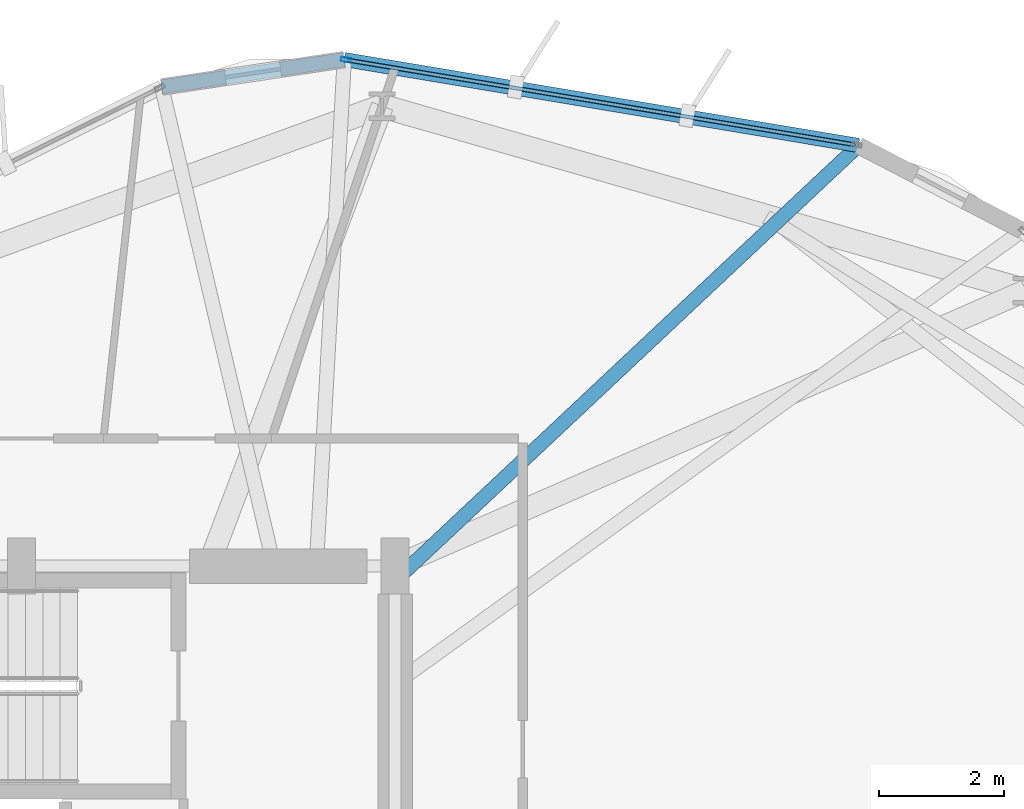
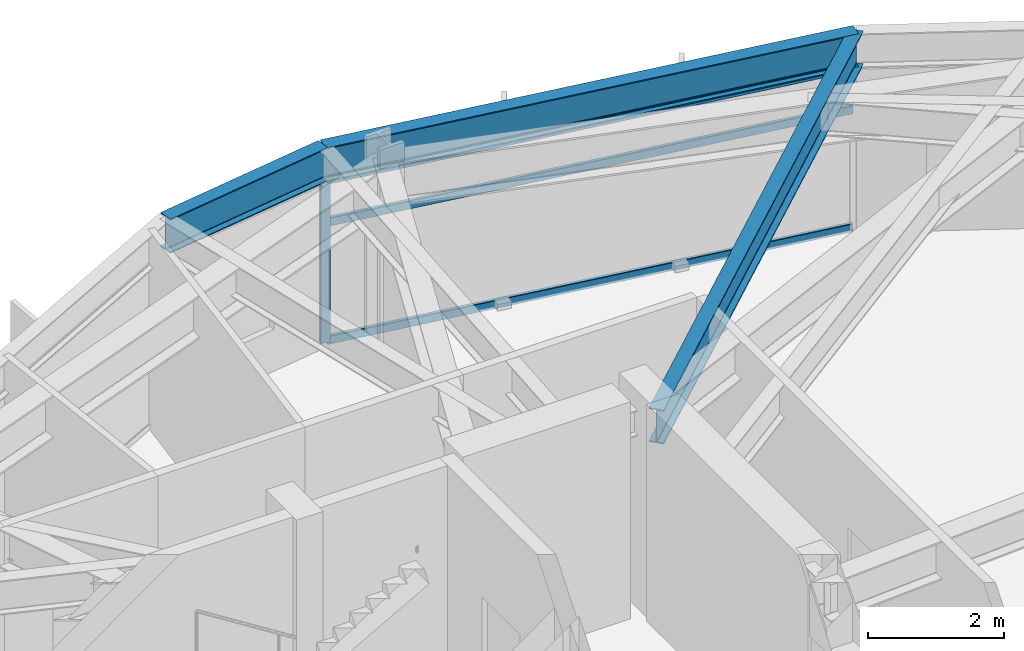
# One storey, part 13 of 22: 4 members, 3 beams, 1 element without a shape of its own.
"""IFC4 building model written with IfcOpenShell, lengths in metres."""

from ifc_helpers import new_model, si_unit, direction, frame, origin, origin_2d, place, context, subcontext, project, spatial, hollow_rectangle, i_section, extrude, material, layer, layer_set, material_profile, profile_set, type_object, element, aggregate, save


model = new_model("IFC4")

# Units and contexts
model_context = context("Model", 3, precision=1e-05, world=origin(), true_north=direction((0.0, 1.0)))
body_context = subcontext(model_context, "Body", "Model", "MODEL_VIEW")
ifc_project = project(units=[si_unit("LENGTHUNIT", "METRE"), si_unit("AREAUNIT", "SQUARE_METRE"), si_unit("VOLUMEUNIT", "CUBIC_METRE"), si_unit("PLANEANGLEUNIT", "RADIAN"), si_unit("MASSUNIT", "GRAM", prefix="KILO")], contexts=[model_context])

# Site, building, storey
site_placement = place(None, origin())
site = spatial("IfcSite", under=ifc_project, at=site_placement, CompositionType="ELEMENT")
building_placement = place(site_placement, origin())
building = spatial("IfcBuilding", under=site, at=building_placement, Name="Soratama Intermodal Tower", CompositionType="ELEMENT")
storey_placement = place(building_placement, frame((0.0, 0.0, 130.300048828125)))
storey = spatial("IfcBuildingStorey", under=building, at=storey_placement, Name="L31", CompositionType="ELEMENT", Elevation=130.300048828125)

# Beams
ifc_material_1 = material(Name="Structural steel ASTM A992 Grade 50", Category="steel")
ifc_material_profile_1 = material_profile(ifc_material_1, i_section(OverallWidth=0.22900390625, OverallDepth=0.612060546875, WebThickness=0.011962890625, FlangeThickness=0.01953125, FilletRadius=0.012939453125, at=origin_2d()), Name="W24X84")
ifc_profile_set_1 = profile_set([ifc_material_profile_1], Name="Structural steel ASTM A992 Grade 50")
beam_type_1 = type_object("IfcBeamType", Name="BM-SPN-W24X84", PredefinedType="SPANDREL", material=ifc_profile_set_1)
beam_1_placement = place(storey_placement, frame((52.0439453125, 41.758056640625, 3.25390625), z_axis=(-0.98633477311, 0.164753498762, 0.0), x_axis=(-0.164753498762, -0.98633477311, 0.0)))
element("IfcBeam", 1, at=beam_1_placement, inside=storey, type_object=beam_type_1, Name="BS-L31-F02", PredefinedType="SPANDREL", context=body_context, shape_type="SweptSolid", body=[
    extrude(i_section(OverallWidth=0.22900390625, OverallDepth=0.612060546875, WebThickness=0.011962890625, FlangeThickness=0.01953125, FilletRadius=0.012939453125, at=origin_2d()), origin(), (0.0, 0.0, 1.0), 8.37548828125),
])
beam_2_placement = place(storey_placement, frame((43.782958984375, 43.137939453125, 3.25390625), z_axis=(-0.988942991843, -0.148296186344, 0.0), x_axis=(0.148296186344, -0.988942991843, 0.0)))
element("IfcBeam", 2, at=beam_2_placement, inside=storey, type_object=beam_type_1, Name="BS-L31-CRN02", PredefinedType="SPANDREL", context=body_context, shape_type="SweptSolid", body=[
    extrude(i_section(OverallWidth=0.22900390625, OverallDepth=0.612060546875, WebThickness=0.011962890625, FlangeThickness=0.01953125, FilletRadius=0.012939453125, at=origin_2d()), origin(), (0.0, 0.0, 1.0), 2.966552734375),
])
ifc_material_2 = material(Name="Structural steel ASTM A992 Grade 50", Category="steel")
ifc_material_profile_2 = material_profile(ifc_material_2, i_section(OverallWidth=0.22900390625, OverallDepth=0.612060546875, WebThickness=0.011962890625, FlangeThickness=0.01953125, FilletRadius=0.012939453125, at=origin_2d()), Name="W24X84")
ifc_profile_set_2 = profile_set([ifc_material_profile_2], Name="Structural steel ASTM A992 Grade 50")
beam_type_2 = type_object("IfcBeamType", Name="BM-TIE-W24X84", PredefinedType="BEAM", material=ifc_profile_set_2)
beam_3_placement = place(storey_placement, frame((44.62890625, 34.794921875, 3.25390625), z_axis=(0.728971099795, 0.684544473109, 0.0), x_axis=(-0.684544473109, 0.728971099795, 0.0)))
element("IfcBeam", 3, at=beam_3_placement, inside=storey, type_object=beam_type_2, Name="BM-L31-TIE0-02", PredefinedType="BEAM", context=body_context, shape_type="SweptSolid", body=[
    extrude(i_section(OverallWidth=0.22900390625, OverallDepth=0.612060546875, WebThickness=0.011962890625, FlangeThickness=0.01953125, FilletRadius=0.012939453125, at=origin_2d()), origin(), (0.0, 0.0, 1.0), 10.171875),
])

# Curtain wall, members
ifc_material_3 = material(Name="Double-glazed aluminium curtain wall", Category="aluminium")
ifc_layer = layer(ifc_material_3, 0.159912109375)
ifc_layer_set = layer_set([ifc_layer], Name="Double-glazed aluminium curtain wall")
curtain_wall_type = type_object("IfcCurtainWallType", Name="CW-SYS-3", PredefinedType="NOTDEFINED", material=ifc_layer_set)
curtain_wall_placement = place(storey_placement, origin())
curtain_wall = element("IfcCurtainWall", 4, at=curtain_wall_placement, inside=storey, type_object=curtain_wall_type, Name="L31 Faceted Curtain Wall F02", PredefinedType="NOTDEFINED")
ifc_material_4 = material(Name="Anodised aluminium AA 6063-T6", Category="aluminium")
ifc_material_profile_3 = material_profile(ifc_material_4, hollow_rectangle(XDim=0.070068359375, YDim=0.159912109375, WallThickness=0.0048828125, InnerFilletRadius=0.0048828125, OuterFilletRadius=0.010009765625, at=origin_2d()), Name="CWM160X70X5")
ifc_profile_set_3 = profile_set([ifc_material_profile_3], Name="Anodised aluminium AA 6063-T6")
member_type_1 = type_object("IfcMemberType", Name="MT-CWM-3", PredefinedType="MULLION", material=ifc_profile_set_3)
member_1_placement = place(storey_placement, frame((43.812255859375, 43.133056640625, 0.0), z_axis=(0.0, 0.0, 1.0), x_axis=(-0.164704865587, -0.986342895373, 0.0)))
member_1 = element("IfcMember", 5, at=member_1_placement, type_object=member_type_1, Name="CW-3 mullion 2", PredefinedType="MULLION", context=body_context, shape_type="SweptSolid", body=[
    extrude(hollow_rectangle(XDim=0.070068359375, YDim=0.159912109375, WallThickness=0.0048828125, InnerFilletRadius=0.0048828125, OuterFilletRadius=0.010009765625, at=origin_2d()), origin(), (0.0, 0.0, 1.0), 2.93896484375),
])
ifc_material_5 = material(Name="Anodised aluminium AA 6063-T6", Category="aluminium")
ifc_material_profile_4 = material_profile(ifc_material_5, hollow_rectangle(XDim=0.06494140625, YDim=0.14990234375, WallThickness=0.0048828125, InnerFilletRadius=0.0048828125, OuterFilletRadius=0.010009765625, at=origin_2d()), Name="CWT150X65X5")
ifc_profile_set_4 = profile_set([ifc_material_profile_4], Name="Anodised aluminium AA 6063-T6")
member_type_2 = type_object("IfcMemberType", Name="TT-CWT-1", PredefinedType="USERDEFINED", material=ifc_profile_set_4)
member_2_placement = place(storey_placement, frame((51.985107421875, 41.76806640625, 0.030029296875), z_axis=(-0.986341925467, 0.164710673808, 0.0), x_axis=(-0.164710673808, -0.986341925467, 0.0)))
member_2 = element("IfcMember", 6, at=member_2_placement, type_object=member_type_2, Name="CW-3 transom 1.1", ObjectType="TRANSOM", PredefinedType="USERDEFINED", context=body_context, shape_type="SweptSolid", body=[
    extrude(hollow_rectangle(XDim=0.06494140625, YDim=0.14990234375, WallThickness=0.0048828125, InnerFilletRadius=0.0048828125, OuterFilletRadius=0.010009765625, at=origin_2d()), origin(), (0.0, 0.0, 1.0), 8.256103515625),
])
member_3_placement = place(storey_placement, frame((51.985107421875, 41.76806640625, 2.14990234375), z_axis=(-0.986341925467, 0.164710673808, 0.0), x_axis=(-0.164710673808, -0.986341925467, 0.0)))
member_3 = element("IfcMember", 7, at=member_3_placement, type_object=member_type_2, Name="CW-3 transom 1.2", ObjectType="TRANSOM", PredefinedType="USERDEFINED", context=body_context, shape_type="SweptSolid", body=[
    extrude(hollow_rectangle(XDim=0.06494140625, YDim=0.14990234375, WallThickness=0.0048828125, InnerFilletRadius=0.0048828125, OuterFilletRadius=0.010009765625, at=origin_2d()), origin(), (0.0, 0.0, 1.0), 8.256103515625),
])
member_4_placement = place(storey_placement, frame((51.985107421875, 41.76806640625, 2.908935546875), z_axis=(-0.986341925467, 0.164710673808, 0.0), x_axis=(-0.164710673808, -0.986341925467, 0.0)))
member_4 = element("IfcMember", 8, at=member_4_placement, type_object=member_type_2, Name="CW-3 transom 1.3", ObjectType="TRANSOM", PredefinedType="USERDEFINED", context=body_context, shape_type="SweptSolid", body=[
    extrude(hollow_rectangle(XDim=0.06494140625, YDim=0.14990234375, WallThickness=0.0048828125, InnerFilletRadius=0.0048828125, OuterFilletRadius=0.010009765625, at=origin_2d()), origin(), (0.0, 0.0, 1.0), 8.256103515625),
])
aggregate(curtain_wall, [member_1, member_2, member_3, member_4])

save(model, "model.ifc")
